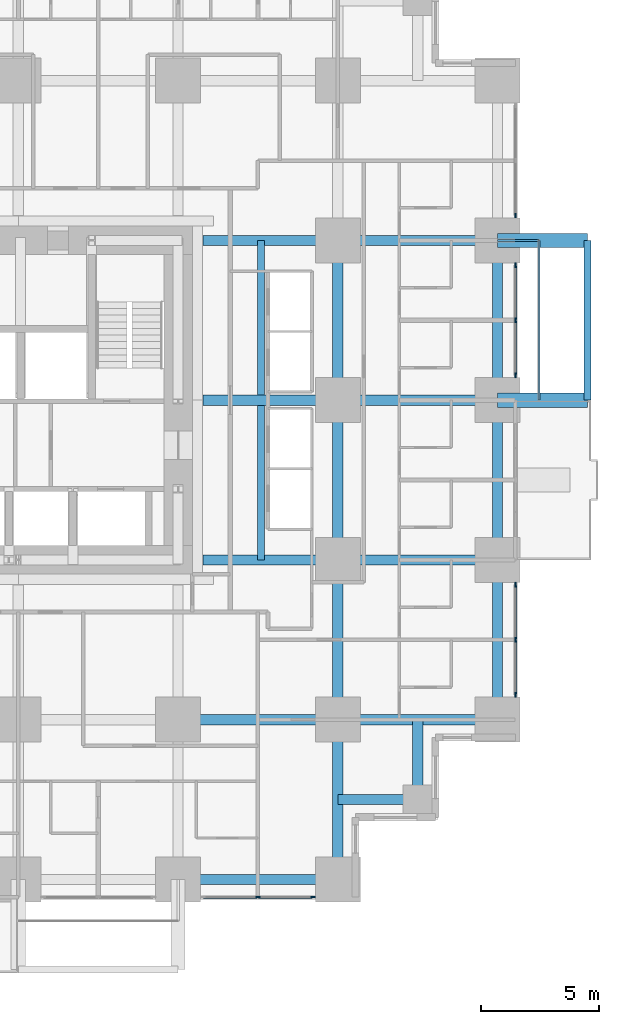
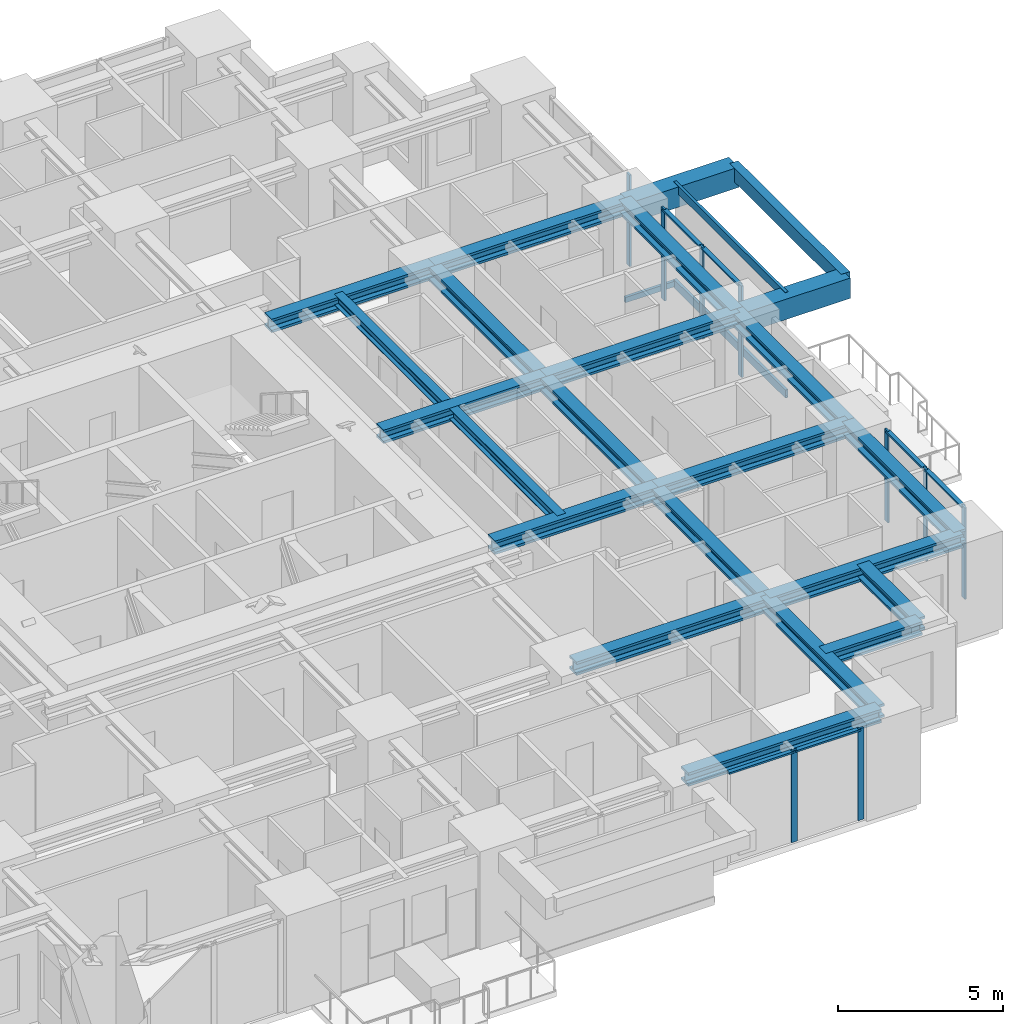
# One storey, part 4 of 15: 23 beams, 18 members, 4 elements without a shape of their own.
"""IFC4 building model written with IfcOpenShell, lengths in metres."""

from ifc_helpers import new_model, si_unit, direction, frame, origin, origin_2d, place, context, subcontext, project, spatial, rectangle, hollow_rectangle, i_section, extrude, material, material_profile, profile_set, type_object, element, aggregate, save


model = new_model("IFC4")

# Units and contexts
model_context = context("Model", 3, precision=1e-05, world=origin(), true_north=direction((0.0, 1.0)))
body_context = subcontext(model_context, "Body", "Model", "MODEL_VIEW")
ifc_project = project(units=[si_unit("LENGTHUNIT", "METRE"), si_unit("AREAUNIT", "SQUARE_METRE"), si_unit("VOLUMEUNIT", "CUBIC_METRE"), si_unit("PLANEANGLEUNIT", "RADIAN"), si_unit("MASSUNIT", "GRAM", prefix="KILO")], contexts=[model_context])

# Site, building, storey
site_placement = place(None, origin())
site = spatial("IfcSite", under=ifc_project, at=site_placement, CompositionType="ELEMENT")
building_placement = place(site_placement, origin())
building = spatial("IfcBuilding", under=site, at=building_placement, Name="Nyansa Garden Tower", CompositionType="ELEMENT")
storey_placement = place(building_placement, frame((0.0, 0.0, 32.39990234375)))
storey = spatial("IfcBuildingStorey", under=building, at=storey_placement, Name="L08", CompositionType="ELEMENT", Elevation=32.39990234375)

# Beams
ifc_material_1 = material(Name="Concrete C70/85", Category="concrete")
ifc_material_profile_1 = material_profile(ifc_material_1, rectangle(XDim=0.60009765625, YDim=0.75, at=origin_2d()), Name="RC 600x750")
ifc_profile_set_1 = profile_set([ifc_material_profile_1], Name="Concrete C70/85")
beam_type_1 = type_object("IfcBeamType", Name="Balcony cantilever beam CB1 RC 600x750", PredefinedType="BEAM", material=ifc_profile_set_1)
for number, where, z_axis, x_axis, name in (
    (1, (40.5, 20.25, 2.985107421875), (1.0, 0.0, 0.0), (0.0, 1.0, 0.0), "Balcony cantilever beam L09"),
    (2, (40.5, 27.0, 2.985107421875), (1.0, 0.0, 0.0), (0.0, 1.0, 0.0), "Balcony cantilever beam L09"),
):
    element("IfcBeam", number, at=place(storey_placement, frame(where, z_axis=z_axis, x_axis=x_axis)), inside=storey, type_object=beam_type_1, Name=name, PredefinedType="BEAM", context=body_context, shape_type="SweptSolid", body=[
        extrude(rectangle(XDim=0.60009765625, YDim=0.75, at=origin_2d()), origin(), (0.0, 0.0, 1.0), 3.800048828125),
    ])
ifc_material_2 = material(Name="Concrete C70/85", Category="concrete")
ifc_material_profile_2 = material_profile(ifc_material_2, rectangle(XDim=0.300048828125, YDim=0.5, at=origin_2d()), Name="RC 300x500")
ifc_profile_set_2 = profile_set([ifc_material_profile_2], Name="Concrete C70/85")
beam_type_2 = type_object("IfcBeamType", Name="Balcony edge beam BE1 RC 300x500", PredefinedType="BEAM", material=ifc_profile_set_2)
beam_1_placement = place(storey_placement, frame((44.300048828125, 20.25, 3.110107421875), z_axis=(0.0, 1.0, 0.0), x_axis=(-1.0, 0.0, 0.0)))
element("IfcBeam", 3, at=beam_1_placement, inside=storey, type_object=beam_type_2, Name="Balcony edge beam L09", PredefinedType="BEAM", context=body_context, shape_type="SweptSolid", body=[
    extrude(rectangle(XDim=0.300048828125, YDim=0.5, at=origin_2d()), origin(), (0.0, 0.0, 1.0), 6.75),
])

# Curtain wall, members
ifc_material_3 = material(Name="Black anodised aluminium, dark tinted double glazing", Category="aluminium")
curtain_wall_type = type_object("IfcCurtainWallType", Name="Inner skin curtain wall ISW-A", PredefinedType="USERDEFINED", material=ifc_material_3)
curtain_wall_1_placement = place(storey_placement, origin())
curtain_wall_1 = element("IfcCurtainWall", 4, at=curtain_wall_1_placement, inside=storey, type_object=curtain_wall_type, Name="Inner skin curtain wall L08 E", ObjectType="UNITISED CURTAIN WALL", PredefinedType="USERDEFINED")
ifc_material_4 = material(Name="Black anodised aluminium", Category="aluminium")
ifc_material_profile_3 = material_profile(ifc_material_4, rectangle(XDim=0.06494140625, YDim=0.199951171875, at=origin_2d()), Name="Mullion 200x65")
ifc_profile_set_3 = profile_set([ifc_material_profile_3], Name="Black anodised aluminium")
member_type_1 = type_object("IfcMemberType", Name="Mullion ISW-A 200x65", PredefinedType="MULLION", material=ifc_profile_set_3)
member_1_placement = place(storey_placement, frame((41.25, 7.800048828125, 0.0), z_axis=(0.0, 0.0, 1.0), x_axis=(-1.0, 0.0, 0.0)))
member_1 = element("IfcMember", 5, at=member_1_placement, type_object=member_type_1, Name="ISW-A mullion 1", PredefinedType="MULLION", context=body_context, shape_type="SweptSolid", body=[
    extrude(rectangle(XDim=0.06494140625, YDim=0.199951171875, at=origin_2d()), origin(), (0.0, 0.0, 1.0), 3.375),
])
member_2_placement = place(storey_placement, frame((41.25, 10.125, 0.0), z_axis=(0.0, 0.0, 1.0), x_axis=(-1.0, 0.0, 0.0)))
member_2 = element("IfcMember", 6, at=member_2_placement, type_object=member_type_1, Name="ISW-A mullion 2", PredefinedType="MULLION", context=body_context, shape_type="SweptSolid", body=[
    extrude(rectangle(XDim=0.06494140625, YDim=0.199951171875, at=origin_2d()), origin(), (0.0, 0.0, 1.0), 3.375),
])
member_3_placement = place(storey_placement, frame((41.25, 12.449951171875, 0.0), z_axis=(0.0, 0.0, 1.0), x_axis=(-1.0, 0.0, 0.0)))
member_3 = element("IfcMember", 7, at=member_3_placement, type_object=member_type_1, Name="ISW-A mullion 3", PredefinedType="MULLION", context=body_context, shape_type="SweptSolid", body=[
    extrude(rectangle(XDim=0.06494140625, YDim=0.199951171875, at=origin_2d()), origin(), (0.0, 0.0, 1.0), 3.375),
])

curtain_wall_2_placement = place(storey_placement, origin())
curtain_wall_2 = element("IfcCurtainWall", 8, at=curtain_wall_2_placement, inside=storey, type_object=curtain_wall_type, Name="Inner skin curtain wall L08 E", ObjectType="UNITISED CURTAIN WALL", PredefinedType="USERDEFINED")
member_4_placement = place(storey_placement, frame((41.25, 21.300048828125, 0.0), z_axis=(0.0, 0.0, 1.0), x_axis=(-1.0, 0.0, 0.0)))
member_4 = element("IfcMember", 9, at=member_4_placement, type_object=member_type_1, Name="ISW-A mullion 1", PredefinedType="MULLION", context=body_context, shape_type="SweptSolid", body=[
    extrude(rectangle(XDim=0.06494140625, YDim=0.199951171875, at=origin_2d()), origin(), (0.0, 0.0, 1.0), 3.375),
])
member_5_placement = place(storey_placement, frame((41.25, 23.625, 0.0), z_axis=(0.0, 0.0, 1.0), x_axis=(-1.0, 0.0, 0.0)))
member_5 = element("IfcMember", 10, at=member_5_placement, type_object=member_type_1, Name="ISW-A mullion 2", PredefinedType="MULLION", context=body_context, shape_type="SweptSolid", body=[
    extrude(rectangle(XDim=0.06494140625, YDim=0.199951171875, at=origin_2d()), origin(), (0.0, 0.0, 1.0), 3.375),
])
member_6_placement = place(storey_placement, frame((41.25, 25.949951171875, 0.0), z_axis=(0.0, 0.0, 1.0), x_axis=(-1.0, 0.0, 0.0)))
member_6 = element("IfcMember", 11, at=member_6_placement, type_object=member_type_1, Name="ISW-A mullion 3", PredefinedType="MULLION", context=body_context, shape_type="SweptSolid", body=[
    extrude(rectangle(XDim=0.06494140625, YDim=0.199951171875, at=origin_2d()), origin(), (0.0, 0.0, 1.0), 3.375),
])

# Curtain wall, member
curtain_wall_3_placement = place(storey_placement, origin())
curtain_wall_3 = element("IfcCurtainWall", 12, at=curtain_wall_3_placement, inside=storey, type_object=curtain_wall_type, Name="Inner skin curtain wall L08 E", ObjectType="UNITISED CURTAIN WALL", PredefinedType="USERDEFINED")
member_7_placement = place(storey_placement, frame((41.25, 28.050048828125, 0.0), z_axis=(0.0, 0.0, 1.0), x_axis=(-1.0, 0.0, 0.0)))
member_7 = element("IfcMember", 13, at=member_7_placement, type_object=member_type_1, Name="ISW-A mullion 1", PredefinedType="MULLION", context=body_context, shape_type="SweptSolid", body=[
    extrude(rectangle(XDim=0.06494140625, YDim=0.199951171875, at=origin_2d()), origin(), (0.0, 0.0, 1.0), 3.375),
])
aggregate(curtain_wall_3, [member_7])

# Curtain wall, members
curtain_wall_4_placement = place(storey_placement, origin())
curtain_wall_4 = element("IfcCurtainWall", 14, at=curtain_wall_4_placement, inside=storey, type_object=curtain_wall_type, Name="Inner skin curtain wall L08 S", ObjectType="UNITISED CURTAIN WALL", PredefinedType="USERDEFINED")
member_8_placement = place(storey_placement, frame((30.375, -0.75, 0.0), z_axis=(0.0, 0.0, 1.0), x_axis=(0.0, 1.0, 0.0)))
member_8 = element("IfcMember", 15, at=member_8_placement, type_object=member_type_1, Name="ISW-A mullion 2", PredefinedType="MULLION", context=body_context, shape_type="SweptSolid", body=[
    extrude(rectangle(XDim=0.06494140625, YDim=0.199951171875, at=origin_2d()), origin(), (0.0, 0.0, 1.0), 3.375),
])
member_9_placement = place(storey_placement, frame((32.699951171875, -0.75, 0.0), z_axis=(0.0, 0.0, 1.0), x_axis=(0.0, 1.0, 0.0)))
member_9 = element("IfcMember", 16, at=member_9_placement, type_object=member_type_1, Name="ISW-A mullion 3", PredefinedType="MULLION", context=body_context, shape_type="SweptSolid", body=[
    extrude(rectangle(XDim=0.06494140625, YDim=0.199951171875, at=origin_2d()), origin(), (0.0, 0.0, 1.0), 3.375),
])

# Members
ifc_material_5 = material(Name="Steel S355, black powder coated", Category="steel")
ifc_material_profile_4 = material_profile(ifc_material_5, hollow_rectangle(XDim=0.10009765625, YDim=0.199951171875, WallThickness=0.008056640625, at=origin_2d()), Name="RHS 200x100x8")
ifc_profile_set_4 = profile_set([ifc_material_profile_4], Name="Steel S355, black powder coated")
member_type_2 = type_object("IfcMemberType", Name="Outer skin bracket arm RHS 200x100x8", PredefinedType="USERDEFINED", material=ifc_profile_set_4)
member_10_placement = place(storey_placement, frame((40.5, 27.0, -0.375), z_axis=(1.0, 0.0, 0.0), x_axis=(0.0, 1.0, 0.0)))
element("IfcMember", 17, at=member_10_placement, inside=storey, type_object=member_type_2, Name="Outer skin bracket arm", ObjectType="OUTER SKIN BRACKET", PredefinedType="USERDEFINED", context=body_context, shape_type="SweptSolid", body=[
    extrude(hollow_rectangle(XDim=0.10009765625, YDim=0.199951171875, WallThickness=0.008056640625, at=origin_2d()), origin(), (0.0, 0.0, 1.0), 1.75),
])
ifc_material_6 = material(Name="Steel S355, black powder coated", Category="steel")
ifc_material_profile_5 = material_profile(ifc_material_6, hollow_rectangle(XDim=0.10009765625, YDim=0.300048828125, WallThickness=0.010009765625, at=origin_2d()), Name="RHS 300x100x10")
ifc_profile_set_5 = profile_set([ifc_material_profile_5], Name="Steel S355, black powder coated")
member_type_3 = type_object("IfcMemberType", Name="Outer skin rail RHS 300x100x10", PredefinedType="USERDEFINED", material=ifc_profile_set_5)
for number, where, z_axis, x_axis, name in (
    (18, (42.25, 20.25, -0.375), (0.0, 1.0, 0.0), (-1.0, 0.0, 0.0), "Outer skin rail L08"),
    (19, (42.25, 20.25, 3.22509765625), (0.0, 1.0, 0.0), (-1.0, 0.0, 0.0), "Outer skin rail L08 head"),
):
    element("IfcMember", number, at=place(storey_placement, frame(where, z_axis=z_axis, x_axis=x_axis)), inside=storey, type_object=member_type_3, Name=name, ObjectType="OUTER SKIN RAIL", PredefinedType="USERDEFINED", context=body_context, shape_type="SweptSolid", body=[
        extrude(hollow_rectangle(XDim=0.10009765625, YDim=0.300048828125, WallThickness=0.010009765625, at=origin_2d()), origin(), (0.0, 0.0, 1.0), 6.75),
    ])

# Beams
ifc_material_7 = material(Name="Steel S355", Category="steel")
ifc_material_profile_6 = material_profile(ifc_material_7, i_section(OverallWidth=0.431884765625, OverallDepth=0.498046875, WebThickness=0.0556640625, FlangeThickness=0.0888671875, FilletRadius=0.014892578125, at=origin_2d()), Name="HD 400x744")
ifc_profile_set_6 = profile_set([ifc_material_profile_6], Name="Steel S355")
beam_type_3 = type_object("IfcBeamType", Name="Steel beam SBA1-744 HD 400x744", PredefinedType="BEAM", material=ifc_profile_set_6)
beam_2_placement = place(storey_placement, frame((27.0, 6.75, 3.1259765625), z_axis=(1.0, 0.0, 0.0), x_axis=(0.0, 1.0, 0.0)))
element("IfcBeam", 20, at=beam_2_placement, inside=storey, type_object=beam_type_3, Name="Steel beam 6/E-7/E L09", PredefinedType="BEAM", context=body_context, shape_type="SweptSolid", body=[
    extrude(i_section(OverallWidth=0.431884765625, OverallDepth=0.498046875, WebThickness=0.0556640625, FlangeThickness=0.0888671875, FilletRadius=0.014892578125, at=origin_2d()), origin(), (0.0, 0.0, 1.0), 6.75),
])
for number, where, z_axis, x_axis, name in (
    (21, (28.050048828125, 13.5, 3.1259765625), (1.0, 0.0, 0.0), (0.0, 1.0, 0.0), "Steel beam 28.050/F-7/F L09"),
    (22, (28.050048828125, 20.25, 3.1259765625), (1.0, 0.0, 0.0), (0.0, 1.0, 0.0), "Steel beam 28.050/G-7/G L09"),
    (23, (28.050048828125, 27.0, 3.1259765625), (1.0, 0.0, 0.0), (0.0, 1.0, 0.0), "Steel beam 28.050/H-7/H L09"),
):
    element("IfcBeam", number, at=place(storey_placement, frame(where, z_axis=z_axis, x_axis=x_axis)), inside=storey, type_object=beam_type_3, Name=name, PredefinedType="BEAM", context=body_context, shape_type="SweptSolid", body=[
        extrude(i_section(OverallWidth=0.431884765625, OverallDepth=0.498046875, WebThickness=0.0556640625, FlangeThickness=0.0888671875, FilletRadius=0.014892578125, at=origin_2d()), origin(), (0.0, 0.0, 1.0), 5.699951171875),
    ])
for number, where, z_axis, x_axis, name in (
    (24, (33.75, 0.0, 3.1259765625), (0.0, 1.0, 0.0), (-1.0, 0.0, 0.0), "Steel beam 7/D-7/E L09"),
    (25, (33.75, 6.75, 3.1259765625), (0.0, 1.0, 0.0), (-1.0, 0.0, 0.0), "Steel beam 7/E-7/F L09"),
    (26, (33.75, 6.75, 3.1259765625), (1.0, 0.0, 0.0), (0.0, 1.0, 0.0), "Steel beam 7/E-8/E L09"),
    (27, (33.75, 13.5, 3.1259765625), (0.0, 1.0, 0.0), (-1.0, 0.0, 0.0), "Steel beam 7/F-7/G L09"),
    (28, (33.75, 13.5, 3.1259765625), (1.0, 0.0, 0.0), (0.0, 1.0, 0.0), "Steel beam 7/F-8/F L09"),
    (29, (33.75, 20.25, 3.1259765625), (0.0, 1.0, 0.0), (-1.0, 0.0, 0.0), "Steel beam 7/G-7/H L09"),
    (30, (33.75, 20.25, 3.1259765625), (1.0, 0.0, 0.0), (0.0, 1.0, 0.0), "Steel beam 7/G-8/G L09"),
    (31, (33.75, 27.0, 3.1259765625), (1.0, 0.0, 0.0), (0.0, 1.0, 0.0), "Steel beam 7/H-8/H L09"),
):
    element("IfcBeam", number, at=place(storey_placement, frame(where, z_axis=z_axis, x_axis=x_axis)), inside=storey, type_object=beam_type_3, Name=name, PredefinedType="BEAM", context=body_context, shape_type="SweptSolid", body=[
        extrude(i_section(OverallWidth=0.431884765625, OverallDepth=0.498046875, WebThickness=0.0556640625, FlangeThickness=0.0888671875, FilletRadius=0.014892578125, at=origin_2d()), origin(), (0.0, 0.0, 1.0), 6.75),
    ])
ifc_material_8 = material(Name="Steel S355", Category="steel")
ifc_material_profile_7 = material_profile(ifc_material_8, i_section(OverallWidth=0.431884765625, OverallDepth=0.498046875, WebThickness=0.0556640625, FlangeThickness=0.0888671875, FilletRadius=0.014892578125, at=origin_2d()), Name="HD 400x744")
ifc_profile_set_7 = profile_set([ifc_material_profile_7], Name="Steel S355")
beam_type_4 = type_object("IfcBeamType", Name="Steel beam SEBA-744 HD 400x744", PredefinedType="BEAM", material=ifc_profile_set_7)
for number, where, z_axis, x_axis, name in (
    (32, (27.0, 0.0, 3.1259765625), (1.0, 0.0, 0.0), (0.0, 1.0, 0.0), "Steel edge beam 6/D-7/D L09"),
    (33, (40.5, 6.75, 3.1259765625), (0.0, 1.0, 0.0), (-1.0, 0.0, 0.0), "Steel edge beam 8/E-8/F L09"),
    (34, (40.5, 13.5, 3.1259765625), (0.0, 1.0, 0.0), (-1.0, 0.0, 0.0), "Steel edge beam 8/F-8/G L09"),
    (35, (40.5, 20.25, 3.1259765625), (0.0, 1.0, 0.0), (-1.0, 0.0, 0.0), "Steel edge beam 8/G-8/H L09"),
):
    element("IfcBeam", number, at=place(storey_placement, frame(where, z_axis=z_axis, x_axis=x_axis)), inside=storey, type_object=beam_type_4, Name=name, PredefinedType="BEAM", context=body_context, shape_type="SweptSolid", body=[
        extrude(i_section(OverallWidth=0.431884765625, OverallDepth=0.498046875, WebThickness=0.0556640625, FlangeThickness=0.0888671875, FilletRadius=0.014892578125, at=origin_2d()), origin(), (0.0, 0.0, 1.0), 6.75),
    ])
ifc_material_9 = material(Name="Steel S355", Category="steel")
ifc_material_profile_8 = material_profile(ifc_material_9, i_section(OverallWidth=0.431884765625, OverallDepth=0.498046875, WebThickness=0.0556640625, FlangeThickness=0.0888671875, FilletRadius=0.014892578125, at=origin_2d()), Name="HD 400x744")
ifc_profile_set_8 = profile_set([ifc_material_profile_8], Name="Steel S355")
beam_type_5 = type_object("IfcBeamType", Name="Steel beam SSB1-744 HD 400x744", PredefinedType="BEAM", material=ifc_profile_set_8)
for number, where, z_axis, x_axis, name in (
    (36, (37.125, 3.375, 3.1259765625), (0.0, 1.0, 0.0), (-1.0, 0.0, 0.0), "Steel step beam 37.125/3.375 L09"),
    (37, (37.125, 3.375, 3.1259765625), (-1.0, 0.0, 0.0), (0.0, -1.0, 0.0), "Steel step beam 37.125/3.375 L09"),
):
    element("IfcBeam", number, at=place(storey_placement, frame(where, z_axis=z_axis, x_axis=x_axis)), inside=storey, type_object=beam_type_5, Name=name, PredefinedType="BEAM", context=body_context, shape_type="SweptSolid", body=[
        extrude(i_section(OverallWidth=0.431884765625, OverallDepth=0.498046875, WebThickness=0.0556640625, FlangeThickness=0.0888671875, FilletRadius=0.014892578125, at=origin_2d()), origin(), (0.0, 0.0, 1.0), 3.375),
    ])

# Member
ifc_material_10 = material(Name="Black anodised aluminium", Category="aluminium")
ifc_material_profile_9 = material_profile(ifc_material_10, rectangle(XDim=0.14990234375, YDim=0.06494140625, at=origin_2d()), Name="Transom 150x65")
ifc_profile_set_9 = profile_set([ifc_material_profile_9], Name="Black anodised aluminium")
member_type_4 = type_object("IfcMemberType", Name="Transom ISW-A 150x65", PredefinedType="USERDEFINED", material=ifc_profile_set_9)
member_11_placement = place(storey_placement, frame((41.25, 7.83251953125, 3.342529296875), z_axis=(0.0, 1.0, 0.0), x_axis=(-1.0, 0.0, 0.0)))
member_11 = element("IfcMember", 38, at=member_11_placement, type_object=member_type_4, Name="ISW-A transom 1", ObjectType="TRANSOM", PredefinedType="USERDEFINED", context=body_context, shape_type="SweptSolid", body=[
    extrude(rectangle(XDim=0.14990234375, YDim=0.06494140625, at=origin_2d()), origin(), (0.0, 0.0, 1.0), 2.260009765625),
])

member_12_placement = place(storey_placement, frame((41.25, 10.157470703125, 3.342529296875), z_axis=(0.0, 1.0, 0.0), x_axis=(-1.0, 0.0, 0.0)))
member_12 = element("IfcMember", 39, at=member_12_placement, type_object=member_type_4, Name="ISW-A transom 2", ObjectType="TRANSOM", PredefinedType="USERDEFINED", context=body_context, shape_type="SweptSolid", body=[
    extrude(rectangle(XDim=0.14990234375, YDim=0.06494140625, at=origin_2d()), origin(), (0.0, 0.0, 1.0), 2.260009765625),
])

aggregate(curtain_wall_1, [member_1, member_2, member_3, member_11, member_12])

member_13_placement = place(storey_placement, frame((41.25, 21.33251953125, 3.342529296875), z_axis=(0.0, 1.0, 0.0), x_axis=(-1.0, 0.0, 0.0)))
member_13 = element("IfcMember", 40, at=member_13_placement, type_object=member_type_4, Name="ISW-A transom 1", ObjectType="TRANSOM", PredefinedType="USERDEFINED", context=body_context, shape_type="SweptSolid", body=[
    extrude(rectangle(XDim=0.14990234375, YDim=0.06494140625, at=origin_2d()), origin(), (0.0, 0.0, 1.0), 2.260009765625),
])

member_14_placement = place(storey_placement, frame((41.25, 23.657470703125, 3.342529296875), z_axis=(0.0, 1.0, 0.0), x_axis=(-1.0, 0.0, 0.0)))
member_14 = element("IfcMember", 41, at=member_14_placement, type_object=member_type_4, Name="ISW-A transom 2", ObjectType="TRANSOM", PredefinedType="USERDEFINED", context=body_context, shape_type="SweptSolid", body=[
    extrude(rectangle(XDim=0.14990234375, YDim=0.06494140625, at=origin_2d()), origin(), (0.0, 0.0, 1.0), 2.260009765625),
])

aggregate(curtain_wall_2, [member_4, member_5, member_6, member_13, member_14])

member_15_placement = place(storey_placement, frame((28.08251953125, -0.75, 3.342529296875), z_axis=(1.0, 0.0, 0.0), x_axis=(0.0, 1.0, 0.0)))
member_15 = element("IfcMember", 42, at=member_15_placement, type_object=member_type_4, Name="ISW-A transom 1", ObjectType="TRANSOM", PredefinedType="USERDEFINED", context=body_context, shape_type="SweptSolid", body=[
    extrude(rectangle(XDim=0.14990234375, YDim=0.06494140625, at=origin_2d()), origin(), (0.0, 0.0, 1.0), 2.260009765625),
])

member_16_placement = place(storey_placement, frame((30.407470703125, -0.75, 3.342529296875), z_axis=(1.0, 0.0, 0.0), x_axis=(0.0, 1.0, 0.0)))
member_16 = element("IfcMember", 43, at=member_16_placement, type_object=member_type_4, Name="ISW-A transom 2", ObjectType="TRANSOM", PredefinedType="USERDEFINED", context=body_context, shape_type="SweptSolid", body=[
    extrude(rectangle(XDim=0.14990234375, YDim=0.06494140625, at=origin_2d()), origin(), (0.0, 0.0, 1.0), 2.260009765625),
])

aggregate(curtain_wall_4, [member_8, member_9, member_15, member_16])

# Beams
ifc_material_11 = material(Name="Steel S355", Category="steel")
ifc_material_profile_10 = material_profile(ifc_material_11, i_section(OverallWidth=0.300048828125, OverallDepth=0.39990234375, WebThickness=0.013427734375, FlangeThickness=0.02392578125, FilletRadius=0.027099609375, at=origin_2d()), Name="HE 400 B")
ifc_profile_set_10 = profile_set([ifc_material_profile_10], Name="Steel S355")
beam_type_6 = type_object("IfcBeamType", Name="Trimmer beam TR1 HE 400 B", PredefinedType="BEAM", material=ifc_profile_set_10)
for number, where, z_axis, x_axis, name in (
    (44, (30.5, 13.5, 3.175048828125), (0.0, 1.0, 0.0), (-1.0, 0.0, 0.0), "Trimmer beam 1 L09"),
    (45, (30.5, 20.466064453125, 3.175048828125), (0.0, 1.0, 0.0), (-1.0, 0.0, 0.0), "Trimmer beam 2 L09"),
):
    element("IfcBeam", number, at=place(storey_placement, frame(where, z_axis=z_axis, x_axis=x_axis)), inside=storey, type_object=beam_type_6, Name=name, PredefinedType="BEAM", context=body_context, shape_type="SweptSolid", body=[
        extrude(i_section(OverallWidth=0.300048828125, OverallDepth=0.39990234375, WebThickness=0.013427734375, FlangeThickness=0.02392578125, FilletRadius=0.027099609375, at=origin_2d()), origin(), (0.0, 0.0, 1.0), 6.533935546875),
    ])

save(model, "model.ifc")
